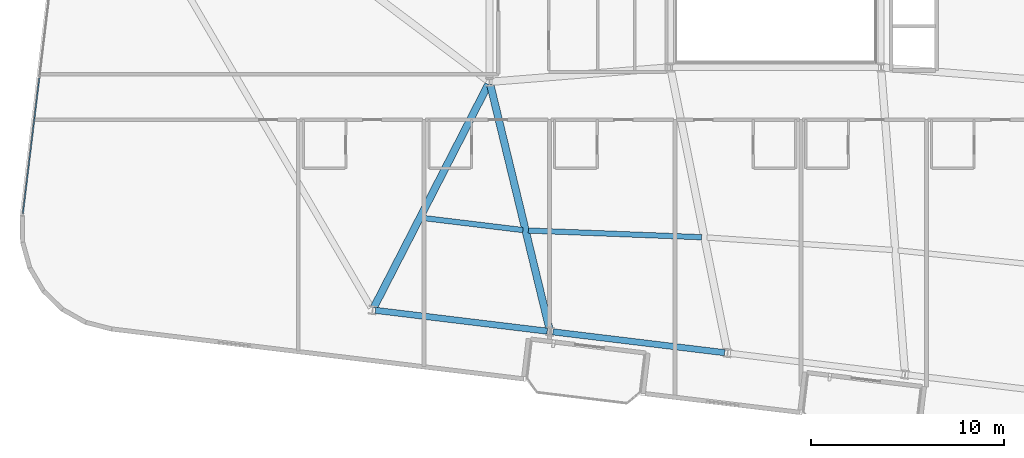
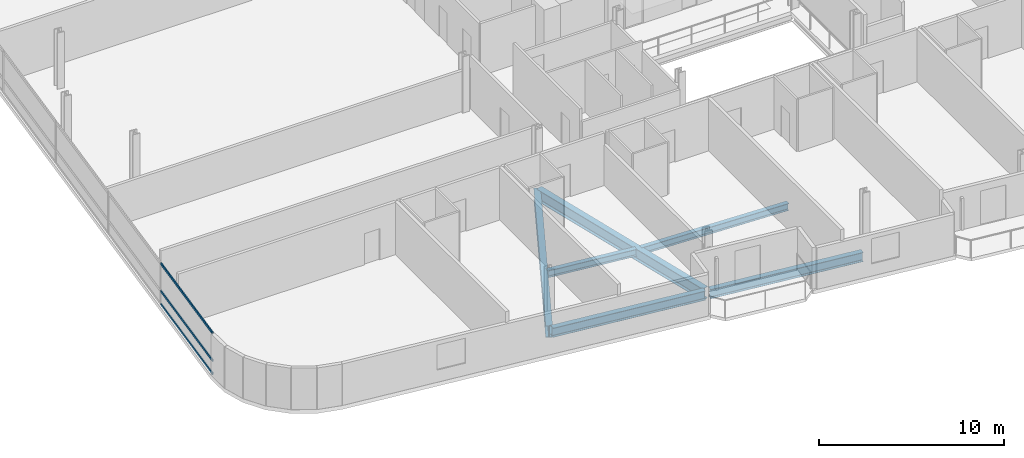
# One storey, part 3 of 26: 6 beams, 3 members, 1 element without a shape of its own.
"""IFC4 building model written with IfcOpenShell, lengths in metres."""

from ifc_helpers import new_model, si_unit, direction, frame, origin, origin_2d, place, context, subcontext, project, spatial, hollow_rectangle, i_section, extrude, material, layer, layer_set, material_profile, profile_set, type_object, element, aggregate, save


model = new_model("IFC4")

# Units and contexts
model_context = context("Model", 3, precision=1e-05, world=origin(), true_north=direction((0.0, 1.0)))
body_context = subcontext(model_context, "Body", "Model", "MODEL_VIEW")
ifc_project = project(units=[si_unit("LENGTHUNIT", "METRE"), si_unit("AREAUNIT", "SQUARE_METRE"), si_unit("VOLUMEUNIT", "CUBIC_METRE"), si_unit("PLANEANGLEUNIT", "RADIAN"), si_unit("MASSUNIT", "GRAM", prefix="KILO")], contexts=[model_context])

# Site, building, storey
site_placement = place(None, origin())
site = spatial("IfcSite", under=ifc_project, at=site_placement, CompositionType="ELEMENT")
building_placement = place(site_placement, origin())
building = spatial("IfcBuilding", under=site, at=building_placement, Name="Varnelok Gate Tower", CompositionType="ELEMENT")
storey_placement = place(building_placement, frame((0.0, 0.0, 129.10009765625)))
storey = spatial("IfcBuildingStorey", under=building, at=storey_placement, Name="L32", CompositionType="ELEMENT", Elevation=129.10009765625)

# Beams
ifc_material_1 = material(Name="Structural Steel ASTM A992 Grade 50", Category="steel")
ifc_material_profile_1 = material_profile(ifc_material_1, i_section(OverallWidth=0.280029296875, OverallDepth=0.462890625, WebThickness=0.0107421875, FlangeThickness=0.017333984375, FilletRadius=0.014892578125, at=origin_2d()), Name="W18X76")
ifc_profile_set_1 = profile_set([ifc_material_profile_1], Name="Structural Steel ASTM A992 Grade 50")
beam_type_1 = type_object("IfcBeamType", Name="BM-JST-W18X76", PredefinedType="JOIST", material=ifc_profile_set_1)
beam_1_placement = place(storey_placement, frame((20.936767578125, 11.76025390625, -0.481689453125), z_axis=(0.99273192091, -0.120346720792, 0.0), x_axis=(0.120346720792, 0.99273192091, 0.0)))
element("IfcBeam", 1, at=beam_1_placement, inside=storey, type_object=beam_type_1, Name="L32 Sector Floor Joist 1", PredefinedType="JOIST", context=body_context, shape_type="SweptSolid", body=[
    extrude(i_section(OverallWidth=0.280029296875, OverallDepth=0.462890625, WebThickness=0.0107421875, FlangeThickness=0.017333984375, FilletRadius=0.014892578125, at=origin_2d()), origin(), (0.0, 0.0, 1.0), 5.223876953125),
])
beam_2_placement = place(storey_placement, frame((26.4013671875, 11.109375, -0.481689453125), z_axis=(0.999248831598, -0.038752710239, 0.0), x_axis=(0.038752710239, 0.999248831598, 0.0)))
element("IfcBeam", 2, at=beam_2_placement, inside=storey, type_object=beam_type_1, Name="L32 Sector Floor Joist 2", PredefinedType="JOIST", context=body_context, shape_type="SweptSolid", body=[
    extrude(i_section(OverallWidth=0.280029296875, OverallDepth=0.462890625, WebThickness=0.0107421875, FlangeThickness=0.017333984375, FilletRadius=0.014892578125, at=origin_2d()), origin(), (0.0, 0.0, 1.0), 8.9775390625),
])
ifc_material_profile_2 = material_profile(ifc_material_1, i_section(OverallWidth=0.381103515625, OverallDepth=0.77294921875, WebThickness=0.0166015625, FlangeThickness=0.027099609375, FilletRadius=0.02197265625, at=origin_2d()), Name="W30X173")
ifc_profile_set_2 = profile_set([ifc_material_profile_2], Name="Structural Steel ASTM A992 Grade 50")
beam_type_2 = type_object("IfcBeamType", Name="BM-PRI-W30X173", PredefinedType="BEAM", material=ifc_profile_set_2)
beam_3_placement = place(storey_placement, frame((24.33154296875, 18.66650390625, -0.63671875), z_axis=(-0.456386604987, -0.889781583754, 0.0), x_axis=(0.889781583754, -0.456386604987, 0.0)))
element("IfcBeam", 3, at=beam_3_placement, inside=storey, type_object=beam_type_2, Name="L32 Radial Floor Girder 1", PredefinedType="BEAM", context=body_context, shape_type="SweptSolid", body=[
    extrude(i_section(OverallWidth=0.381103515625, OverallDepth=0.77294921875, WebThickness=0.0166015625, FlangeThickness=0.027099609375, FilletRadius=0.02197265625, at=origin_2d()), origin(), (0.0, 0.0, 1.0), 12.96533203125),
])
beam_4_placement = place(storey_placement, frame((24.435302734375, 18.654296875, -0.63671875), z_axis=(0.235400453941, -0.971898465008, 0.0), x_axis=(0.971898465008, 0.235400453941, 0.0)))
element("IfcBeam", 4, at=beam_4_placement, inside=storey, type_object=beam_type_2, Name="L32 Radial Floor Girder 2", PredefinedType="BEAM", context=body_context, shape_type="SweptSolid", body=[
    extrude(i_section(OverallWidth=0.381103515625, OverallDepth=0.77294921875, WebThickness=0.0166015625, FlangeThickness=0.027099609375, FilletRadius=0.02197265625, at=origin_2d()), origin(), (0.0, 0.0, 1.0), 12.989990234375),
])
ifc_material_profile_3 = material_profile(ifc_material_1, i_section(OverallWidth=0.323974609375, OverallDepth=0.611083984375, WebThickness=0.0126953125, FlangeThickness=0.01904296875, FilletRadius=0.01806640625, at=origin_2d()), Name="W24X104")
ifc_profile_set_3 = profile_set([ifc_material_profile_3], Name="Structural Steel ASTM A992 Grade 50")
beam_type_3 = type_object("IfcBeamType", Name="BM-SPN-W24X104", PredefinedType="SPANDREL", material=ifc_profile_set_3)
for number, where, z_axis, x_axis, name in (
    (5, (18.49462890625, 6.978515625, -0.5556640625), (0.992734670707, -0.120324035735, 0.0), (0.120324035735, 0.992734670707, 0.0), "L32 Perimeter Spandrel Beam 1"),
    (6, (27.677490234375, 5.865478515625, -0.5556640625), (0.99273141198, -0.120350918849, 0.0), (0.120350918849, 0.99273141198, 0.0), "L32 Perimeter Spandrel Beam 2"),
):
    element("IfcBeam", number, at=place(storey_placement, frame(where, z_axis=z_axis, x_axis=x_axis)), inside=storey, type_object=beam_type_3, Name=name, PredefinedType="SPANDREL", context=body_context, shape_type="SweptSolid", body=[
        extrude(i_section(OverallWidth=0.323974609375, OverallDepth=0.611083984375, WebThickness=0.0126953125, FlangeThickness=0.01904296875, FilletRadius=0.01806640625, at=origin_2d()), origin(), (0.0, 0.0, 1.0), 8.949951171875),
    ])

# Curtain wall, members
ifc_material_2 = material(Name="Anodized Aluminum Alloy 6063-T6", Category="aluminium")
ifc_layer = layer(ifc_material_2, 0.179931640625)
ifc_layer_set = layer_set([ifc_layer], Name="Anodized Aluminum Alloy 6063-T6")
curtain_wall_type = type_object("IfcCurtainWallType", Name="CW3-HOTEL-VISION", PredefinedType="USERDEFINED", material=ifc_layer_set)
curtain_wall_placement = place(storey_placement, origin())
curtain_wall = element("IfcCurtainWall", 7, at=curtain_wall_placement, inside=storey, type_object=curtain_wall_type, Name="L32 West End Vision Curtain Wall", ObjectType="UNITISED CURTAIN WALL", PredefinedType="USERDEFINED")
ifc_material_profile_4 = material_profile(ifc_material_2, hollow_rectangle(XDim=0.06494140625, YDim=0.159912109375, WallThickness=0.00390625, at=origin_2d()), Name="ALU160X65X4")
ifc_profile_set_4 = profile_set([ifc_material_profile_4], Name="Anodized Aluminum Alloy 6063-T6")
member_type = type_object("IfcMemberType", Name="CW-TRAN-160", PredefinedType="USERDEFINED", material=ifc_profile_set_4)
member_1_placement = place(storey_placement, frame((0.2509765625, 11.955322265625, 0.032470703125), z_axis=(0.120344712857, 0.992732164326, 0.0), x_axis=(-0.992732164326, 0.120344712857, 0.0)))
member_1 = element("IfcMember", 8, at=member_1_placement, type_object=member_type, Name="CW3 transom 1.1", ObjectType="TRANSOM", PredefinedType="USERDEFINED", context=body_context, shape_type="SweptSolid", body=[
    extrude(hollow_rectangle(XDim=0.06494140625, YDim=0.159912109375, WallThickness=0.00390625, at=origin_2d()), origin(), (0.0, 0.0, 1.0), 7.102294921875),
])
member_2_placement = place(storey_placement, frame((0.2509765625, 11.955322265625, 0.89990234375), z_axis=(0.120344712857, 0.992732164326, 0.0), x_axis=(-0.992732164326, 0.120344712857, 0.0)))
member_2 = element("IfcMember", 9, at=member_2_placement, type_object=member_type, Name="CW3 transom 1.2", ObjectType="TRANSOM", PredefinedType="USERDEFINED", context=body_context, shape_type="SweptSolid", body=[
    extrude(hollow_rectangle(XDim=0.06494140625, YDim=0.159912109375, WallThickness=0.00390625, at=origin_2d()), origin(), (0.0, 0.0, 1.0), 7.102294921875),
])
member_3_placement = place(storey_placement, frame((0.2509765625, 11.955322265625, 2.697509765625), z_axis=(0.120344712857, 0.992732164326, 0.0), x_axis=(-0.992732164326, 0.120344712857, 0.0)))
member_3 = element("IfcMember", 10, at=member_3_placement, type_object=member_type, Name="CW3 transom 1.3", ObjectType="TRANSOM", PredefinedType="USERDEFINED", context=body_context, shape_type="SweptSolid", body=[
    extrude(hollow_rectangle(XDim=0.06494140625, YDim=0.159912109375, WallThickness=0.00390625, at=origin_2d()), origin(), (0.0, 0.0, 1.0), 7.102294921875),
])
aggregate(curtain_wall, [member_1, member_2, member_3])

save(model, "model.ifc")
